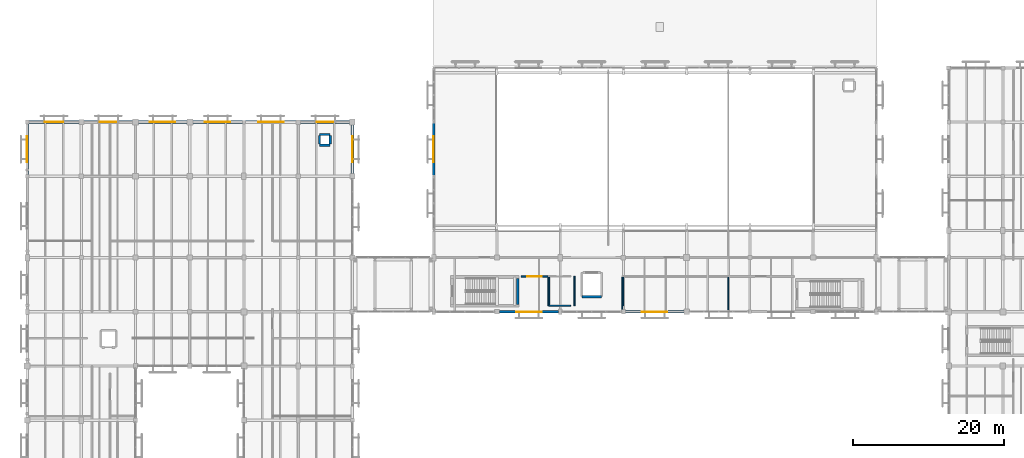
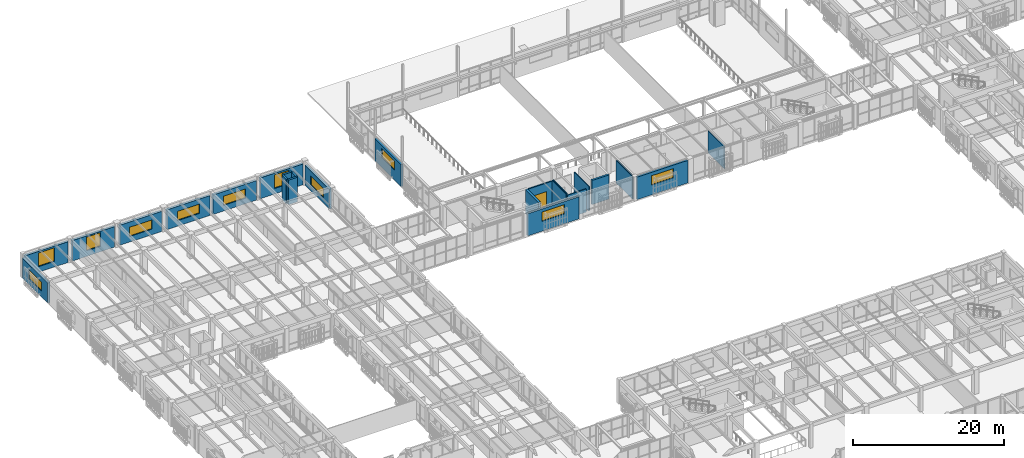
# One storey, part 134 of 170: 25 walls, 11 windows, 1 door, 12 openings.
"""IFC4 building model written with IfcOpenShell, lengths in metres."""

from ifc_helpers import new_model, si_unit, direction, frame, frame_2d, origin, place, context, subcontext, project, spatial, rectangle, extrude, material, layer, layer_set, type_object, element, fill, save


model = new_model("IFC4")

# Units and contexts
model_context = context("Model", 3, precision=1e-05, world=origin(), true_north=direction((0.0, 1.0)))
body_context = subcontext(model_context, "Body", "Model", "MODEL_VIEW")
ifc_project = project(units=[si_unit("LENGTHUNIT", "METRE"), si_unit("AREAUNIT", "SQUARE_METRE"), si_unit("VOLUMEUNIT", "CUBIC_METRE"), si_unit("PLANEANGLEUNIT", "RADIAN"), si_unit("MASSUNIT", "GRAM", prefix="KILO")], contexts=[model_context])

# Site, building, storey
site_placement = place(None, origin())
site = spatial("IfcSite", under=ifc_project, at=site_placement, CompositionType="ELEMENT")
building_placement = place(site_placement, origin())
building = spatial("IfcBuilding", under=site, at=building_placement, Name="Mazaris Harbour Polytechnic", CompositionType="ELEMENT")
storey_placement = place(building_placement, frame((0.0, 0.0, 5.39990234375)))
storey = spatial("IfcBuildingStorey", under=building, at=storey_placement, Name="L01", CompositionType="ELEMENT", Elevation=5.39990234375)

# Wall
ifc_material_1 = material(Name="Double Gypsum and Mineral Wool")
ifc_layer_1 = layer(ifc_material_1, 0.14990234375, Name="Double Gypsum and Mineral Wool")
ifc_layer_set_1 = layer_set([ifc_layer_1], Name="Double Gypsum and Mineral Wool")
wall_type_1 = type_object("IfcWallType", Name="Classroom Acoustic Partition 150", PredefinedType="PARTITIONING", material=ifc_layer_set_1)
wall_1_placement = place(storey_placement, frame((93.10009765625, 75.85009765625, 0.0), z_axis=(0.0, 0.0, 1.0), x_axis=(0.0, 1.0, 0.0)))
element("IfcWall", 1, at=wall_1_placement, inside=storey, type_object=wall_type_1, Name="V1 L01 Partition 51", PredefinedType="PARTITIONING", context=body_context, shape_type="SweptSolid", body=[
    extrude(rectangle(XDim=4.329833984375, YDim=0.14990234375, at=frame_2d((2.1650390625, 0.0))), origin(), (0.0, 0.0, 1.0), 3.56005859375),
])

# Wall, opening, window
ifc_material_2 = material(Name="Algerian Buff Limestone and Concrete C30/37", Category="masonry")
ifc_layer_2 = layer(ifc_material_2, 0.360107421875, Name="Algerian Buff Limestone and Concrete C30/37")
ifc_layer_set_2 = layer_set([ifc_layer_2], Name="Algerian Buff Limestone and Concrete C30/37")
wall_type_2 = type_object("IfcWallType", Name="Limestone Ashlar Exterior Wall 360", PredefinedType="STANDARD", material=ifc_layer_set_2)
wall_2_placement = place(storey_placement, frame((0.241943359375, 100.800048828125, 0.0), z_axis=(0.0, 0.0, 1.0), x_axis=(1.0, 0.0, 0.0)))
wall_2 = element("IfcWall", 2, at=wall_2_placement, inside=storey, type_object=wall_type_2, Name="V4 L01 Exterior Wall 164", PredefinedType="STANDARD", context=body_context, shape_type="SweptSolid", body=[
    extrude(rectangle(XDim=6.64111328125, YDim=0.360107421875, at=frame_2d((3.320556640625, 0.0))), origin(), (0.0, 0.0, 1.0), 3.3701171875),
])
opening_1_placement = place(wall_2_placement, frame((2.12060546875, 0.0, 0.89990234375)))
opening_1 = element("IfcOpeningElement", 3, at=opening_1_placement, cuts=wall_2, Name="Opening WN-07", PredefinedType="OPENING", context=body_context, shape_type="SweptSolid", body=[
    extrude(rectangle(XDim=2.39990234375, YDim=2.199951171875, at=frame_2d((1.199951171875, 1.10009765625))), frame((0.0, 0.18994140625, 0.0), z_axis=(0.0, -1.0, 0.0), x_axis=(1.0, 0.0, 0.0)), (0.0, 0.0, 1.0), 0.380126953125),
])
ifc_material_3 = material(Name="Thermally Broken Bronze Aluminium and Low-E Glass", Category="aluminium")
window_type_1 = type_object("IfcWindowType", Name="Laboratory Paired Window 2400x2200", PartitioningType="DOUBLE_PANEL_VERTICAL", PredefinedType="WINDOW", material=ifc_material_3)
window_1_placement = place(opening_1_placement, origin())
window_1 = element("IfcWindow", 4, at=window_1_placement, inside=storey, type_object=window_type_1, Name="WN-0166", OverallHeight=2.199951171875, OverallWidth=2.39990234375, PartitioningType="DOUBLE_PANEL_VERTICAL", PredefinedType="WINDOW", context=body_context, shape_type="SweptSolid", body=[
    extrude(rectangle(XDim=2.39990234375, YDim=2.199951171875, at=frame_2d((1.199951171875, 1.10009765625))), frame((0.0, 0.030029296875, 0.0), z_axis=(0.0, -1.0, 0.0), x_axis=(1.0, 0.0, 0.0)), (0.0, 0.0, 1.0), 0.06005859375),
])
fill(opening_1, window_1)

wall_3_placement = place(storey_placement, frame((7.51708984375, 100.800048828125, 0.0), z_axis=(0.0, 0.0, 1.0), x_axis=(1.0, 0.0, 0.0)))
wall_3 = element("IfcWall", 5, at=wall_3_placement, inside=storey, type_object=wall_type_2, Name="V4 L01 Exterior Wall 165", PredefinedType="STANDARD", context=body_context, shape_type="SweptSolid", body=[
    extrude(rectangle(XDim=6.490966796875, YDim=0.360107421875, at=frame_2d((3.24560546875, 0.0))), origin(), (0.0, 0.0, 1.0), 3.31005859375),
])
opening_2_placement = place(wall_3_placement, frame((2.1455078125, 0.0, 0.89990234375)))
opening_2 = element("IfcOpeningElement", 6, at=opening_2_placement, cuts=wall_3, Name="Opening WN-06", PredefinedType="OPENING", context=body_context, shape_type="SweptSolid", body=[
    extrude(rectangle(XDim=2.199951171875, YDim=2.199951171875, at=frame_2d((1.10009765625, 1.10009765625))), frame((0.0, 0.18994140625, 0.0), z_axis=(0.0, -1.0, 0.0), x_axis=(1.0, 0.0, 0.0)), (0.0, 0.0, 1.0), 0.380126953125),
])
ifc_material_4 = material(Name="Thermally Broken Bronze Aluminium and Low-E Glass", Category="aluminium")
window_type_2 = type_object("IfcWindowType", Name="Laboratory Paired Window 2200x2200", PartitioningType="DOUBLE_PANEL_VERTICAL", PredefinedType="WINDOW", material=ifc_material_4)
window_2_placement = place(opening_2_placement, origin())
window_2 = element("IfcWindow", 7, at=window_2_placement, inside=storey, type_object=window_type_2, Name="WN-0167", OverallHeight=2.199951171875, OverallWidth=2.199951171875, PartitioningType="DOUBLE_PANEL_VERTICAL", PredefinedType="WINDOW", context=body_context, shape_type="SweptSolid", body=[
    extrude(rectangle(XDim=2.199951171875, YDim=2.199951171875, at=frame_2d((1.10009765625, 1.10009765625))), frame((0.0, 0.030029296875, 0.0), z_axis=(0.0, -1.0, 0.0), x_axis=(1.0, 0.0, 0.0)), (0.0, 0.0, 1.0), 0.06005859375),
])
fill(opening_2, window_2)

wall_4_placement = place(storey_placement, frame((14.7919921875, 100.800048828125, 0.0), z_axis=(0.0, 0.0, 1.0), x_axis=(1.0, 0.0, 0.0)))
wall_4 = element("IfcWall", 8, at=wall_4_placement, inside=storey, type_object=wall_type_2, Name="V4 L01 Exterior Wall 166", PredefinedType="STANDARD", context=body_context, shape_type="SweptSolid", body=[
    extrude(rectangle(XDim=6.416015625, YDim=0.360107421875, at=frame_2d((3.2080078125, 0.0))), origin(), (0.0, 0.0, 1.0), 3.25),
])
opening_3_placement = place(wall_4_placement, frame((1.508056640625, 0.0, 0.89990234375)))
opening_3 = element("IfcOpeningElement", 9, at=opening_3_placement, cuts=wall_4, Name="Opening WN-16", PredefinedType="OPENING", context=body_context, shape_type="SweptSolid", body=[
    extrude(rectangle(XDim=3.39990234375, YDim=1.5, at=frame_2d((1.699951171875, 0.75))), frame((0.0, 0.18994140625, 0.0), z_axis=(0.0, -1.0, 0.0), x_axis=(1.0, 0.0, 0.0)), (0.0, 0.0, 1.0), 0.380126953125),
])
ifc_material_5 = material(Name="Thermally Broken Bronze Aluminium and Low-E Glass", Category="aluminium")
window_type_3 = type_object("IfcWindowType", Name="Workshop Clerestory Ribbon 3400x1500", PartitioningType="DOUBLE_PANEL_VERTICAL", PredefinedType="WINDOW", material=ifc_material_5)
window_3_placement = place(opening_3_placement, origin())
window_3 = element("IfcWindow", 10, at=window_3_placement, inside=storey, type_object=window_type_3, Name="WN-0168", OverallHeight=1.5, OverallWidth=3.39990234375, PartitioningType="DOUBLE_PANEL_VERTICAL", PredefinedType="WINDOW", context=body_context, shape_type="SweptSolid", body=[
    extrude(rectangle(XDim=3.39990234375, YDim=1.5, at=frame_2d((1.699951171875, 0.75))), frame((0.0, 0.030029296875, 0.0), z_axis=(0.0, -1.0, 0.0), x_axis=(1.0, 0.0, 0.0)), (0.0, 0.0, 1.0), 0.06005859375),
])
fill(opening_3, window_3)

wall_5_placement = place(storey_placement, frame((21.991943359375, 100.800048828125, 0.0), z_axis=(0.0, 0.0, 1.0), x_axis=(1.0, 0.0, 0.0)))
wall_5 = element("IfcWall", 11, at=wall_5_placement, inside=storey, type_object=wall_type_2, Name="V4 L01 Exterior Wall 167", PredefinedType="STANDARD", context=body_context, shape_type="SweptSolid", body=[
    extrude(rectangle(XDim=6.591064453125, YDim=0.360107421875, at=frame_2d((3.29541015625, 0.0))), origin(), (0.0, 0.0, 1.0), 3.210205078125),
])
opening_4_placement = place(wall_5_placement, frame((1.595458984375, 0.0, 0.89990234375)))
opening_4 = element("IfcOpeningElement", 12, at=opening_4_placement, cuts=wall_5, Name="Opening WN-16", PredefinedType="OPENING", context=body_context, shape_type="SweptSolid", body=[
    extrude(rectangle(XDim=3.39990234375, YDim=1.5, at=frame_2d((1.699951171875, 0.75))), frame((0.0, 0.18994140625, 0.0), z_axis=(0.0, -1.0, 0.0), x_axis=(1.0, 0.0, 0.0)), (0.0, 0.0, 1.0), 0.380126953125),
])
window_4_placement = place(opening_4_placement, origin())
window_4 = element("IfcWindow", 13, at=window_4_placement, inside=storey, type_object=window_type_3, Name="WN-0169", OverallHeight=1.5, OverallWidth=3.39990234375, PartitioningType="DOUBLE_PANEL_VERTICAL", PredefinedType="WINDOW", context=body_context, shape_type="SweptSolid", body=[
    extrude(rectangle(XDim=3.39990234375, YDim=1.5, at=frame_2d((1.699951171875, 0.75))), frame((0.0, 0.030029296875, 0.0), z_axis=(0.0, -1.0, 0.0), x_axis=(1.0, 0.0, 0.0)), (0.0, 0.0, 1.0), 0.06005859375),
])
fill(opening_4, window_4)

wall_6_placement = place(storey_placement, frame((29.01708984375, 100.800048828125, 0.0), z_axis=(0.0, 0.0, 1.0), x_axis=(1.0, 0.0, 0.0)))
wall_6 = element("IfcWall", 14, at=wall_6_placement, inside=storey, type_object=wall_type_2, Name="V4 L01 Exterior Wall 168", PredefinedType="STANDARD", context=body_context, shape_type="SweptSolid", body=[
    extrude(rectangle(XDim=6.69091796875, YDim=0.360107421875, at=frame_2d((3.345458984375, 0.0))), origin(), (0.0, 0.0, 1.0), 3.150146484375),
])
opening_5_placement = place(wall_6_placement, frame((1.6455078125, 0.0, 0.89990234375)))
opening_5 = element("IfcOpeningElement", 15, at=opening_5_placement, cuts=wall_6, Name="Opening WN-16", PredefinedType="OPENING", context=body_context, shape_type="SweptSolid", body=[
    extrude(rectangle(XDim=3.39990234375, YDim=1.5, at=frame_2d((1.699951171875, 0.75))), frame((0.0, 0.18994140625, 0.0), z_axis=(0.0, -1.0, 0.0), x_axis=(1.0, 0.0, 0.0)), (0.0, 0.0, 1.0), 0.380126953125),
])
window_5_placement = place(opening_5_placement, origin())
window_5 = element("IfcWindow", 16, at=window_5_placement, inside=storey, type_object=window_type_3, Name="WN-0170", OverallHeight=1.5, OverallWidth=3.39990234375, PartitioningType="DOUBLE_PANEL_VERTICAL", PredefinedType="WINDOW", context=body_context, shape_type="SweptSolid", body=[
    extrude(rectangle(XDim=3.39990234375, YDim=1.5, at=frame_2d((1.699951171875, 0.75))), frame((0.0, 0.030029296875, 0.0), z_axis=(0.0, -1.0, 0.0), x_axis=(1.0, 0.0, 0.0)), (0.0, 0.0, 1.0), 0.06005859375),
])
fill(opening_5, window_5)

wall_7_placement = place(storey_placement, frame((36.2919921875, 100.800048828125, 0.0), z_axis=(0.0, 0.0, 1.0), x_axis=(1.0, 0.0, 0.0)))
wall_7 = element("IfcWall", 17, at=wall_7_placement, inside=storey, type_object=wall_type_2, Name="V4 L01 Exterior Wall 169", PredefinedType="STANDARD", context=body_context, shape_type="SweptSolid", body=[
    extrude(rectangle(XDim=6.541015625, YDim=0.360107421875, at=frame_2d((3.2705078125, 0.0))), origin(), (0.0, 0.0, 1.0), 3.3701171875),
])
opening_6_placement = place(wall_7_placement, frame((2.17041015625, 0.0, 0.89990234375)))
opening_6 = element("IfcOpeningElement", 18, at=opening_6_placement, cuts=wall_7, Name="Opening WN-06", PredefinedType="OPENING", context=body_context, shape_type="SweptSolid", body=[
    extrude(rectangle(XDim=2.199951171875, YDim=2.199951171875, at=frame_2d((1.10009765625, 1.10009765625))), frame((0.0, 0.18994140625, 0.0), z_axis=(0.0, -1.0, 0.0), x_axis=(1.0, 0.0, 0.0)), (0.0, 0.0, 1.0), 0.380126953125),
])
window_6_placement = place(opening_6_placement, origin())
window_6 = element("IfcWindow", 19, at=window_6_placement, inside=storey, type_object=window_type_2, Name="WN-0171", OverallHeight=2.199951171875, OverallWidth=2.199951171875, PartitioningType="DOUBLE_PANEL_VERTICAL", PredefinedType="WINDOW", context=body_context, shape_type="SweptSolid", body=[
    extrude(rectangle(XDim=2.199951171875, YDim=2.199951171875, at=frame_2d((1.10009765625, 1.10009765625))), frame((0.0, 0.030029296875, 0.0), z_axis=(0.0, -1.0, 0.0), x_axis=(1.0, 0.0, 0.0)), (0.0, 0.0, 1.0), 0.06005859375),
])
fill(opening_6, window_6)

wall_8_placement = place(storey_placement, frame((0.0, 93.81689453125, 0.0), z_axis=(0.0, 0.0, 1.0), x_axis=(0.0, 1.0, 0.0)))
wall_8 = element("IfcWall", 20, at=wall_8_placement, inside=storey, type_object=wall_type_2, Name="V4 L01 Exterior Wall 181", PredefinedType="STANDARD", context=body_context, shape_type="SweptSolid", body=[
    extrude(rectangle(XDim=6.7412109375, YDim=0.360107421875, at=frame_2d((3.37060546875, 0.0))), origin(), (0.0, 0.0, 1.0), 3.25),
])
opening_7_placement = place(wall_8_placement, frame((1.67041015625, 0.0, 0.89990234375)))
opening_7 = element("IfcOpeningElement", 21, at=opening_7_placement, cuts=wall_8, Name="Opening WN-16", PredefinedType="OPENING", context=body_context, shape_type="SweptSolid", body=[
    extrude(rectangle(XDim=3.39990234375, YDim=1.5, at=frame_2d((1.699951171875, 0.75))), frame((0.0, 0.18994140625, 0.0), z_axis=(0.0, -1.0, 0.0), x_axis=(1.0, 0.0, 0.0)), (0.0, 0.0, 1.0), 0.380126953125),
])
window_7_placement = place(opening_7_placement, origin())
window_7 = element("IfcWindow", 22, at=window_7_placement, inside=storey, type_object=window_type_3, Name="WN-0183", OverallHeight=1.5, OverallWidth=3.39990234375, PartitioningType="DOUBLE_PANEL_VERTICAL", PredefinedType="WINDOW", context=body_context, shape_type="SweptSolid", body=[
    extrude(rectangle(XDim=3.39990234375, YDim=1.5, at=frame_2d((1.699951171875, 0.75))), frame((0.0, 0.030029296875, 0.0), z_axis=(0.0, -1.0, 0.0), x_axis=(1.0, 0.0, 0.0)), (0.0, 0.0, 1.0), 0.06005859375),
])
fill(opening_7, window_7)

wall_9_placement = place(storey_placement, frame((43.199951171875, 100.43310546875, 0.0), z_axis=(0.0, 0.0, 1.0), x_axis=(0.0, -1.0, 0.0)))
wall_9 = element("IfcWall", 23, at=wall_9_placement, inside=storey, type_object=wall_type_2, Name="V4 L01 Exterior Wall 186", PredefinedType="STANDARD", context=body_context, shape_type="SweptSolid", body=[
    extrude(rectangle(XDim=6.4912109375, YDim=0.360107421875, at=frame_2d((3.24560546875, 0.0))), origin(), (0.0, 0.0, 1.0), 3.210205078125),
])
opening_8_placement = place(wall_9_placement, frame((1.54541015625, 0.0, 0.89990234375)))
opening_8 = element("IfcOpeningElement", 24, at=opening_8_placement, cuts=wall_9, Name="Opening WN-16", PredefinedType="OPENING", context=body_context, shape_type="SweptSolid", body=[
    extrude(rectangle(XDim=3.39990234375, YDim=1.5, at=frame_2d((1.699951171875, 0.75))), frame((0.0, 0.18994140625, 0.0), z_axis=(0.0, -1.0, 0.0), x_axis=(1.0, 0.0, 0.0)), (0.0, 0.0, 1.0), 0.380126953125),
])
window_8_placement = place(opening_8_placement, origin())
window_8 = element("IfcWindow", 25, at=window_8_placement, inside=storey, type_object=window_type_3, Name="WN-0188", OverallHeight=1.5, OverallWidth=3.39990234375, PartitioningType="DOUBLE_PANEL_VERTICAL", PredefinedType="WINDOW", context=body_context, shape_type="SweptSolid", body=[
    extrude(rectangle(XDim=3.39990234375, YDim=1.5, at=frame_2d((1.699951171875, 0.75))), frame((0.0, 0.030029296875, 0.0), z_axis=(0.0, -1.0, 0.0), x_axis=(1.0, 0.0, 0.0)), (0.0, 0.0, 1.0), 0.06005859375),
])
fill(opening_8, window_8)

# Walls
ifc_material_6 = material(Name="Concrete C40/50", Category="concrete")
ifc_layer_3 = layer(ifc_material_6, 0.35009765625, Name="Concrete C40/50")
ifc_layer_set_3 = layer_set([ifc_layer_3], Name="Concrete C40/50")
wall_type_3 = type_object("IfcWallType", Name="RC Core Shear Wall 350", PredefinedType="SHEAR", material=ifc_layer_set_3)
wall_10_placement = place(storey_placement, frame((65.175048828125, 76.60009765625, 0.0), z_axis=(0.0, 0.0, 1.0), x_axis=(0.0, 1.0, 0.0)))
element("IfcWall", 26, at=wall_10_placement, inside=storey, type_object=wall_type_3, Name="Core ST01 L01 Shear Wall E", PredefinedType="SHEAR", context=body_context, shape_type="SweptSolid", body=[
    extrude(rectangle(XDim=3.449951171875, YDim=0.35009765625, at=frame_2d((1.72509765625, 0.0))), origin(), (0.0, 0.0, 1.0), 3.920166015625),
])
ifc_material_7 = material(Name="Concrete C40/50", Category="concrete")
ifc_layer_4 = layer(ifc_material_7, 0.300048828125, Name="Concrete C40/50")
ifc_layer_set_4 = layer_set([ifc_layer_4], Name="Concrete C40/50")
wall_type_4 = type_object("IfcWallType", Name="RC Lift Shaft Wall 300", PredefinedType="SHEAR", material=ifc_layer_set_4)
wall_11_placement = place(storey_placement, frame((38.830078125, 97.72998046875, 0.0), z_axis=(0.0, 0.0, 1.0), x_axis=(1.0, 0.0, 0.0)))
element("IfcWall", 27, at=wall_11_placement, inside=storey, type_object=wall_type_4, Name="V4 L01 Riser Enclosure Wall 2-1", PredefinedType="SHEAR", context=body_context, shape_type="SweptSolid", body=[
    extrude(rectangle(XDim=1.419921875, YDim=0.300048828125, at=frame_2d((0.7099609375, 0.0))), origin(), (0.0, 0.0, 1.0), 3.960205078125),
])
wall_12_placement = place(storey_placement, frame((40.25, 97.889892578125, 0.0), z_axis=(0.0, 0.0, 1.0), x_axis=(0.0, 1.0, 0.0)))
element("IfcWall", 28, at=wall_12_placement, inside=storey, type_object=wall_type_4, Name="V4 L01 Riser Enclosure Wall 2-2", PredefinedType="SHEAR", context=body_context, shape_type="SweptSolid", body=[
    extrude(rectangle(XDim=1.10009765625, YDim=0.300048828125, at=frame_2d((0.550048828125, 0.0))), origin(), (0.0, 0.0, 1.0), 3.960205078125),
])
wall_13_placement = place(storey_placement, frame((40.25, 99.14990234375, 0.0), z_axis=(0.0, 0.0, 1.0), x_axis=(-1.0, 0.0, 0.0)))
element("IfcWall", 29, at=wall_13_placement, inside=storey, type_object=wall_type_4, Name="V4 L01 Riser Enclosure Wall 2-3", PredefinedType="SHEAR", context=body_context, shape_type="SweptSolid", body=[
    extrude(rectangle(XDim=1.419921875, YDim=0.300048828125, at=frame_2d((0.7099609375, 0.0))), origin(), (0.0, 0.0, 1.0), 3.960205078125),
])
wall_14_placement = place(storey_placement, frame((38.830078125, 98.989990234375, 0.0), z_axis=(0.0, 0.0, 1.0), x_axis=(0.0, -1.0, 0.0)))
element("IfcWall", 30, at=wall_14_placement, inside=storey, type_object=wall_type_4, Name="V4 L01 Riser Enclosure Wall 2-4", PredefinedType="SHEAR", context=body_context, shape_type="SweptSolid", body=[
    extrude(rectangle(XDim=1.10009765625, YDim=0.300048828125, at=frame_2d((0.550048828125, 0.0))), origin(), (0.0, 0.0, 1.0), 3.960205078125),
])
wall_15_placement = place(storey_placement, frame((73.699951171875, 77.60009765625, 0.0), z_axis=(0.0, 0.0, 1.0), x_axis=(1.0, 0.0, 0.0)))
element("IfcWall", 31, at=wall_15_placement, inside=storey, type_object=wall_type_4, Name="Lift LG-01 L01 South Shaft Wall", PredefinedType="SHEAR", context=body_context, shape_type="SweptSolid", body=[
    extrude(rectangle(XDim=2.60009765625, YDim=0.300048828125, at=frame_2d((1.300048828125, 0.0))), origin(), (0.0, 0.0, 1.0), 3.920166015625),
])
ifc_material_8 = material(Name="Moisture-Resistant Gypsum and Steel Stud", Category="steel")
ifc_layer_5 = layer(ifc_material_8, 0.14501953125, Name="Moisture-Resistant Gypsum and Steel Stud")
ifc_layer_set_5 = layer_set([ifc_layer_5], Name="Moisture-Resistant Gypsum and Steel Stud")
wall_type_5 = type_object("IfcWallType", Name="Sanitary Plumbing Wall 145", PredefinedType="PLUMBINGWALL", material=ifc_layer_set_5)
wall_16_placement = place(storey_placement, frame((69.199951171875, 76.39990234375, 0.0), z_axis=(0.0, 0.0, 1.0), x_axis=(0.0, 1.0, 0.0)))
element("IfcWall", 32, at=wall_16_placement, inside=storey, type_object=wall_type_5, Name="V1 L01 Partition 44", PredefinedType="PLUMBINGWALL", context=body_context, shape_type="SweptSolid", body=[
    extrude(rectangle(XDim=3.780029296875, YDim=0.14501953125, at=frame_2d((1.89013671875, 0.0))), origin(), (0.0, 0.0, 1.0), 3.920166015625),
])
wall_17_placement = place(storey_placement, frame((69.282470703125, 76.39990234375, 0.0), z_axis=(0.0, 0.0, 1.0), x_axis=(1.0, 0.0, 0.0)))
element("IfcWall", 33, at=wall_17_placement, inside=storey, type_object=wall_type_5, Name="V1 L01 Partition 45", PredefinedType="PLUMBINGWALL", context=body_context, shape_type="SweptSolid", body=[
    extrude(rectangle(XDim=2.91259765625, YDim=0.14501953125, at=frame_2d((1.456298828125, 0.0))), origin(), (0.0, 0.0, 1.0), 3.7490234375),
])
wall_18_placement = place(storey_placement, frame((79.199951171875, 76.39990234375, 0.0), z_axis=(0.0, 0.0, 1.0), x_axis=(0.0, 1.0, 0.0)))
element("IfcWall", 34, at=wall_18_placement, inside=storey, type_object=wall_type_5, Name="V1 L01 Partition 46", PredefinedType="PLUMBINGWALL", context=body_context, shape_type="SweptSolid", body=[
    extrude(rectangle(XDim=3.780029296875, YDim=0.14501953125, at=frame_2d((1.89013671875, 0.0))), origin(), (0.0, 0.0, 1.0), 3.670166015625),
])
wall_19_placement = place(storey_placement, frame((72.695068359375, 76.405029296875, 0.0), z_axis=(0.0, 0.0, 1.0), x_axis=(0.0, 1.0, 0.0)))
element("IfcWall", 35, at=wall_19_placement, inside=storey, type_object=wall_type_5, Name="V1 L01 Sanitary Partition 699", PredefinedType="PLUMBINGWALL", context=body_context, shape_type="SweptSolid", body=[
    extrude(rectangle(XDim=3.889892578125, YDim=0.14501953125, at=frame_2d((1.94482421875, 0.0))), origin(), (0.0, 0.0, 1.0), 3.920166015625),
])
ifc_material_9 = material(Name="Gypsum Board and Mineral Wool")
ifc_layer_6 = layer(ifc_material_9, 0.135009765625, Name="Gypsum Board and Mineral Wool")
ifc_layer_set_6 = layer_set([ifc_layer_6], Name="Gypsum Board and Mineral Wool")
wall_type_6 = type_object("IfcWallType", Name="Studio Partition Wall 135", PredefinedType="PARTITIONING", material=ifc_layer_set_6)
wall_20_placement = place(storey_placement, frame((69.360107421875, 76.482421875, 0.0), z_axis=(0.0, 0.0, 1.0), x_axis=(0.0, 1.0, 0.0)))
element("IfcWall", 36, at=wall_20_placement, inside=storey, type_object=wall_type_6, Name="V1 L01 Partition 48", PredefinedType="PARTITIONING", context=body_context, shape_type="SweptSolid", body=[
    extrude(rectangle(XDim=3.697509765625, YDim=0.135009765625, at=frame_2d((1.8486328125, 0.0))), origin(), (0.0, 0.0, 1.0), 3.920166015625),
])
wall_21_placement = place(storey_placement, frame((79.0400390625, 75.85009765625, 0.0), z_axis=(0.0, 0.0, 1.0), x_axis=(0.0, 1.0, 0.0)))
element("IfcWall", 37, at=wall_21_placement, inside=storey, type_object=wall_type_6, Name="V1 L01 Partition 50", PredefinedType="PARTITIONING", context=body_context, shape_type="SweptSolid", body=[
    extrude(rectangle(XDim=4.329833984375, YDim=0.135009765625, at=frame_2d((2.1650390625, 0.0))), origin(), (0.0, 0.0, 1.0), 3.670166015625),
])

# Wall, opening, door
ifc_material_10 = material(Name="Concrete Masonry C30/37", Category="masonry")
ifc_layer_7 = layer(ifc_material_10, 0.2099609375, Name="Concrete Masonry C30/37")
ifc_layer_set_7 = layer_set([ifc_layer_7], Name="Concrete Masonry C30/37")
wall_type_7 = type_object("IfcWallType", Name="Workshop Compartment Wall 210", PredefinedType="STANDARD", material=ifc_layer_set_7)
wall_22_placement = place(storey_placement, frame((65.60498046875, 80.300048828125, 0.0), z_axis=(0.0, 0.0, 1.0), x_axis=(1.0, 0.0, 0.0)))
wall_22 = element("IfcWall", 38, at=wall_22_placement, inside=storey, type_object=wall_type_7, Name="V1 L01 Partition 47", PredefinedType="STANDARD", context=body_context, shape_type="SweptSolid", body=[
    extrude(rectangle(XDim=3.590087890625, YDim=0.2099609375, at=frame_2d((1.794921875, 0.0))), origin(), (0.0, 0.0, 1.0), 3.72021484375),
])
opening_9_placement = place(wall_22_placement, frame((0.844970703125, 0.0, 0.0)))
opening_9 = element("IfcOpeningElement", 39, at=opening_9_placement, cuts=wall_22, Name="Opening ID-05D", PredefinedType="OPENING", context=body_context, shape_type="SweptSolid", body=[
    extrude(rectangle(XDim=1.89990234375, YDim=2.35009765625, at=frame_2d((0.949951171875, 1.175048828125))), frame((0.0, 0.114990234375, 0.0), z_axis=(0.0, -1.0, 0.0), x_axis=(1.0, 0.0, 0.0)), (0.0, 0.0, 1.0), 0.22998046875),
])
ifc_material_11 = material(Name="Galvanised Steel S355", Category="steel")
door_type = type_object("IfcDoorType", Name="Workshop Heavy Double Door 1900x2350", OperationType="DOUBLE_DOOR_SINGLE_SWING", PredefinedType="DOOR", material=ifc_material_11)
door_placement = place(opening_9_placement, origin())
door = element("IfcDoor", 40, at=door_placement, inside=storey, type_object=door_type, Name="ID-0022", OperationType="DOUBLE_DOOR_SINGLE_SWING", OverallHeight=2.35009765625, OverallWidth=1.89990234375, PredefinedType="DOOR", context=body_context, shape_type="SweptSolid", body=[
    extrude(rectangle(XDim=1.89990234375, YDim=2.35009765625, at=frame_2d((0.949951171875, 1.175048828125))), frame((0.0, 0.02490234375, 0.0), z_axis=(0.0, -1.0, 0.0), x_axis=(1.0, 0.0, 0.0)), (0.0, 0.0, 1.0), 0.050048828125),
])
fill(opening_9, door)

# Wall, opening, window
ifc_material_12 = material(Name="Terracotta Masonry and Concrete C30/37", Category="masonry")
ifc_layer_8 = layer(ifc_material_12, 0.2900390625, Name="Terracotta Masonry and Concrete C30/37")
ifc_layer_set_8 = layer_set([ifc_layer_8], Name="Terracotta Masonry and Concrete C30/37")
wall_type_8 = type_object("IfcWallType", Name="Workshop Insulated Wall 290", PredefinedType="STANDARD", material=ifc_layer_set_8)
wall_23_placement = place(storey_placement, frame((70.55810546875, 75.60009765625, 0.0), z_axis=(0.0, 0.0, 1.0), x_axis=(-1.0, 0.0, 0.0)))
wall_23 = element("IfcWall", 41, at=wall_23_placement, inside=storey, type_object=wall_type_8, Name="V1 L01 Exterior Wall 15", PredefinedType="STANDARD", context=body_context, shape_type="SweptSolid", body=[
    extrude(rectangle(XDim=7.841064453125, YDim=0.2900390625, at=frame_2d((3.92041015625, 0.0))), origin(), (0.0, 0.0, 1.0), 3.590087890625),
])
opening_10_placement = place(wall_23_placement, frame((2.220458984375, 0.0, 1.60009765625)))
opening_10 = element("IfcOpeningElement", 42, at=opening_10_placement, cuts=wall_23, Name="Opening WN-16", PredefinedType="OPENING", context=body_context, shape_type="SweptSolid", body=[
    extrude(rectangle(XDim=3.39990234375, YDim=1.5, at=frame_2d((1.699951171875, 0.75))), frame((0.0, 0.155029296875, 0.0), z_axis=(0.0, -1.0, 0.0), x_axis=(1.0, 0.0, 0.0)), (0.0, 0.0, 1.0), 0.31005859375),
])
window_9_placement = place(opening_10_placement, origin())
window_9 = element("IfcWindow", 43, at=window_9_placement, inside=storey, type_object=window_type_3, Name="WN-0005", OverallHeight=1.5, OverallWidth=3.39990234375, PartitioningType="DOUBLE_PANEL_VERTICAL", PredefinedType="WINDOW", context=body_context, shape_type="SweptSolid", body=[
    extrude(rectangle(XDim=3.39990234375, YDim=1.5, at=frame_2d((1.699951171875, 0.75))), frame((0.0, 0.030029296875, 0.0), z_axis=(0.0, -1.0, 0.0), x_axis=(1.0, 0.0, 0.0)), (0.0, 0.0, 1.0), 0.06005859375),
])
fill(opening_10, window_9)

wall_24_placement = place(storey_placement, frame((87.23291015625, 75.60009765625, 0.0), z_axis=(0.0, 0.0, 1.0), x_axis=(-1.0, 0.0, 0.0)))
wall_24 = element("IfcWall", 44, at=wall_24_placement, inside=storey, type_object=wall_type_8, Name="V1 L01 Exterior Wall 16", PredefinedType="STANDARD", context=body_context, shape_type="SweptSolid", body=[
    extrude(rectangle(XDim=7.765869140625, YDim=0.2900390625, at=frame_2d((3.8828125, 0.0))), origin(), (0.0, 0.0, 1.0), 3.650146484375),
])
opening_11_placement = place(wall_24_placement, frame((2.18310546875, 0.0, 1.60009765625)))
opening_11 = element("IfcOpeningElement", 45, at=opening_11_placement, cuts=wall_24, Name="Opening WN-16", PredefinedType="OPENING", context=body_context, shape_type="SweptSolid", body=[
    extrude(rectangle(XDim=3.39990234375, YDim=1.5, at=frame_2d((1.699951171875, 0.75))), frame((0.0, 0.155029296875, 0.0), z_axis=(0.0, -1.0, 0.0), x_axis=(1.0, 0.0, 0.0)), (0.0, 0.0, 1.0), 0.31005859375),
])
window_10_placement = place(opening_11_placement, origin())
window_10 = element("IfcWindow", 46, at=window_10_placement, inside=storey, type_object=window_type_3, Name="WN-0006", OverallHeight=1.5, OverallWidth=3.39990234375, PartitioningType="DOUBLE_PANEL_VERTICAL", PredefinedType="WINDOW", context=body_context, shape_type="SweptSolid", body=[
    extrude(rectangle(XDim=3.39990234375, YDim=1.5, at=frame_2d((1.699951171875, 0.75))), frame((0.0, 0.030029296875, 0.0), z_axis=(0.0, -1.0, 0.0), x_axis=(1.0, 0.0, 0.0)), (0.0, 0.0, 1.0), 0.06005859375),
])
fill(opening_11, window_10)

wall_25_placement = place(storey_placement, frame((54.0, 93.717041015625, 0.0), z_axis=(0.0, 0.0, 1.0), x_axis=(0.0, 1.0, 0.0)))
wall_25 = element("IfcWall", 47, at=wall_25_placement, inside=storey, type_object=wall_type_8, Name="V1 L01 Exterior Wall 22", PredefinedType="STANDARD", context=body_context, shape_type="SweptSolid", body=[
    extrude(rectangle(XDim=6.946044921875, YDim=0.2900390625, at=frame_2d((3.47314453125, 0.0))), origin(), (0.0, 0.0, 1.0), 3.590087890625),
])
opening_12_placement = place(wall_25_placement, frame((1.77294921875, 0.0, 1.60009765625)))
opening_12 = element("IfcOpeningElement", 48, at=opening_12_placement, cuts=wall_25, Name="Opening WN-16", PredefinedType="OPENING", context=body_context, shape_type="SweptSolid", body=[
    extrude(rectangle(XDim=3.39990234375, YDim=1.5, at=frame_2d((1.699951171875, 0.75))), frame((0.0, 0.155029296875, 0.0), z_axis=(0.0, -1.0, 0.0), x_axis=(1.0, 0.0, 0.0)), (0.0, 0.0, 1.0), 0.31005859375),
])
window_11_placement = place(opening_12_placement, origin())
window_11 = element("IfcWindow", 49, at=window_11_placement, inside=storey, type_object=window_type_3, Name="WN-0011", OverallHeight=1.5, OverallWidth=3.39990234375, PartitioningType="DOUBLE_PANEL_VERTICAL", PredefinedType="WINDOW", context=body_context, shape_type="SweptSolid", body=[
    extrude(rectangle(XDim=3.39990234375, YDim=1.5, at=frame_2d((1.699951171875, 0.75))), frame((0.0, 0.030029296875, 0.0), z_axis=(0.0, -1.0, 0.0), x_axis=(1.0, 0.0, 0.0)), (0.0, 0.0, 1.0), 0.06005859375),
])
fill(opening_12, window_11)

save(model, "model.ifc")
